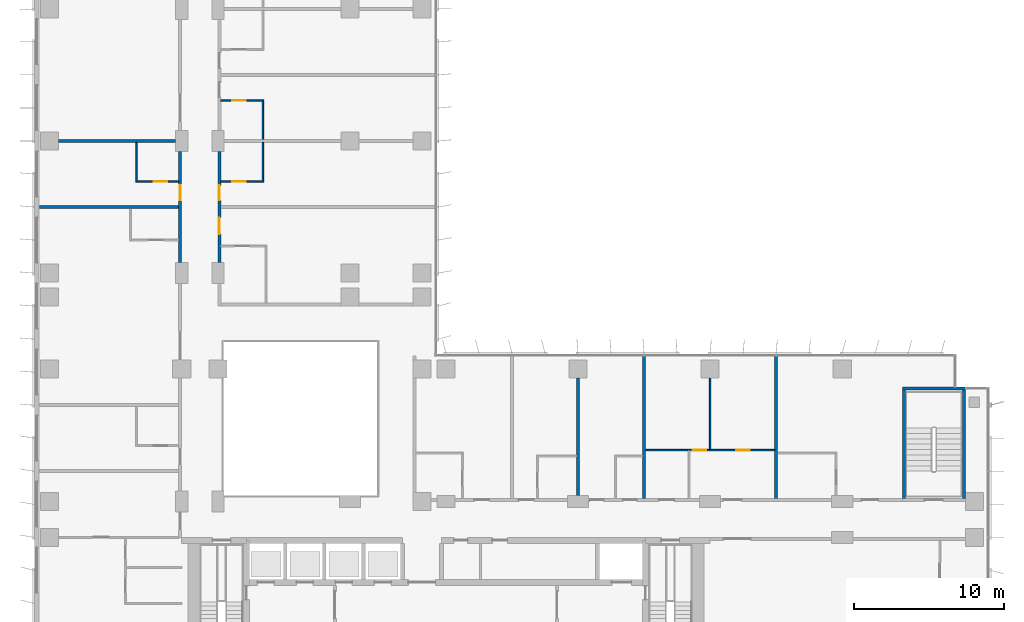
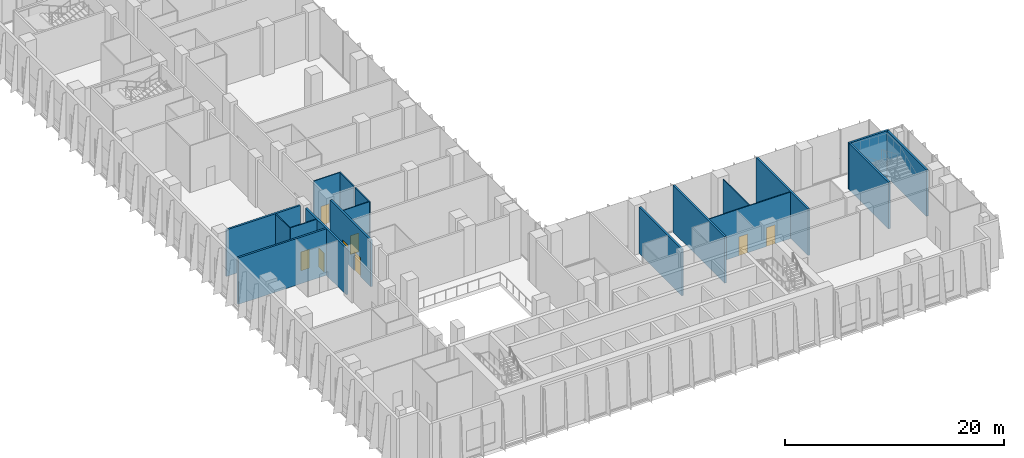
# One storey, part 15 of 26: 18 walls, 8 doors, 8 openings.
"""IFC4 building model written with IfcOpenShell, lengths in metres."""

from ifc_helpers import new_model, si_unit, direction, frame, frame_2d, origin, place, context, subcontext, project, spatial, rectangle, extrude, material, layer, layer_set, type_object, element, fill, save


model = new_model("IFC4")

# Units and contexts
model_context = context("Model", 3, precision=1e-05, world=origin(), true_north=direction((0.0, 1.0)))
body_context = subcontext(model_context, "Body", "Model", "MODEL_VIEW")
ifc_project = project(units=[si_unit("LENGTHUNIT", "METRE"), si_unit("AREAUNIT", "SQUARE_METRE"), si_unit("VOLUMEUNIT", "CUBIC_METRE"), si_unit("PLANEANGLEUNIT", "RADIAN"), si_unit("MASSUNIT", "GRAM", prefix="KILO")], contexts=[model_context])

# Site, building, storey
site_placement = place(None, origin())
site = spatial("IfcSite", under=ifc_project, at=site_placement, CompositionType="ELEMENT")
building_placement = place(site_placement, origin())
building = spatial("IfcBuilding", under=site, at=building_placement, Name="Kemantara Hotel Tower", CompositionType="ELEMENT")
storey_placement = place(building_placement, frame((0.0, 0.0, 101.89990234375)))
storey = spatial("IfcBuildingStorey", under=building, at=storey_placement, Name="L24", CompositionType="ELEMENT", Elevation=101.89990234375)

# Wall, opening, door
ifc_material_1 = material(Name="Gypsum board partition, steel studs and mineral wool, 200 mm", Category="steel")
ifc_layer_1 = layer(ifc_material_1, 0.199951171875)
ifc_layer_set_1 = layer_set([ifc_layer_1], Name="Gypsum board partition, steel studs and mineral wool, 200 mm")
wall_type_1 = type_object("IfcWallType", Name="CORRIDOR WALL 200", PredefinedType="PARTITIONING", material=ifc_layer_set_1)
wall_1_placement = place(storey_placement, frame((9.699951171875, 28.10009765625, 0.0), z_axis=(0.0, 0.0, 1.0), x_axis=(0.0, 1.0, 0.0)))
wall_1 = element("IfcWall", 1, at=wall_1_placement, inside=storey, type_object=wall_type_1, Name="CORRIDOR WALL 200 017", PredefinedType="PARTITIONING", context=body_context, shape_type="SweptSolid", body=[
    extrude(rectangle(XDim=7.39990234375, YDim=0.199951171875, at=frame_2d((3.699951171875, 0.0))), origin(), (0.0, 0.0, 1.0), 5.2001953125),
])
opening_1_placement = place(wall_1_placement, frame((4.14990234375, 0.0, 0.0)))
opening_1 = element("IfcOpeningElement", 2, at=opening_1_placement, cuts=wall_1, Name="Opening F10-023", PredefinedType="OPENING", context=body_context, shape_type="SweptSolid", body=[
    extrude(rectangle(XDim=1.0, YDim=2.10009765625, at=frame_2d((0.5, 1.050048828125))), frame((0.0, 0.10986328125, 0.0), z_axis=(0.0, -1.0, 0.0), x_axis=(1.0, 0.0, 0.0)), (0.0, 0.0, 1.0), 0.219970703125),
])
ifc_material_2 = material(Name="Hardwood veneer door leaf with steel frame", Category="steel")
door_type_1 = type_object("IfcDoorType", Name="GUEST ROOM DOOR 1000 X 2100 FD30S", OperationType="NOTDEFINED", PredefinedType="DOOR", material=ifc_material_2)
door_1_placement = place(opening_1_placement, origin())
door_1 = element("IfcDoor", 3, at=door_1_placement, inside=storey, type_object=door_type_1, Name="GUEST ROOM DOOR F10-023", OperationType="SINGLE_SWING_LEFT", OverallHeight=2.10009765625, OverallWidth=1.0, PredefinedType="DOOR", context=body_context, shape_type="SweptSolid", body=[
    extrude(rectangle(XDim=1.0, YDim=2.10009765625, at=frame_2d((0.5, 1.050048828125))), frame((0.0, 0.02490234375, 0.0), z_axis=(0.0, -1.0, 0.0), x_axis=(1.0, 0.0, 0.0)), (0.0, 0.0, 1.0), 0.050048828125),
])
fill(opening_1, door_1)

# Wall, openings, doors
wall_2_placement = place(storey_placement, frame((12.300048828125, 35.5, 0.0), z_axis=(0.0, 0.0, 1.0), x_axis=(0.0, -1.0, 0.0)))
wall_2 = element("IfcWall", 4, at=wall_2_placement, inside=storey, type_object=wall_type_1, Name="CORRIDOR WALL 200 032", PredefinedType="PARTITIONING", context=body_context, shape_type="SweptSolid", body=[
    extrude(rectangle(XDim=7.39990234375, YDim=0.199951171875, at=frame_2d((3.699951171875, 0.0))), origin(), (0.0, 0.0, 1.0), 5.2001953125),
])
opening_2_placement = place(wall_2_placement, frame((4.39990234375, 0.0, 0.0)))
opening_2 = element("IfcOpeningElement", 5, at=opening_2_placement, cuts=wall_2, Name="Opening F10-033", PredefinedType="OPENING", context=body_context, shape_type="SweptSolid", body=[
    extrude(rectangle(XDim=1.10009765625, YDim=2.10009765625, at=frame_2d((0.550048828125, 1.050048828125))), frame((0.0, 0.10986328125, 0.0), z_axis=(0.0, -1.0, 0.0), x_axis=(1.0, 0.0, 0.0)), (0.0, 0.0, 1.0), 0.219970703125),
])
opening_3_placement = place(wall_2_placement, frame((2.25, 0.0, 0.0)))
opening_3 = element("IfcOpeningElement", 6, at=opening_3_placement, cuts=wall_2, Name="Opening F10-035", PredefinedType="OPENING", context=body_context, shape_type="SweptSolid", body=[
    extrude(rectangle(XDim=1.0, YDim=2.10009765625, at=frame_2d((0.5, 1.050048828125))), frame((0.0, 0.10986328125, 0.0), z_axis=(0.0, -1.0, 0.0), x_axis=(1.0, 0.0, 0.0)), (0.0, 0.0, 1.0), 0.219970703125),
])
door_2_placement = place(opening_3_placement, origin())
door_2 = element("IfcDoor", 7, at=door_2_placement, inside=storey, type_object=door_type_1, Name="GUEST ROOM DOOR F10-035", OperationType="SINGLE_SWING_RIGHT", OverallHeight=2.10009765625, OverallWidth=1.0, PredefinedType="DOOR", context=body_context, shape_type="SweptSolid", body=[
    extrude(rectangle(XDim=1.0, YDim=2.10009765625, at=frame_2d((0.5, 1.050048828125))), frame((0.0, 0.02490234375, 0.0), z_axis=(0.0, -1.0, 0.0), x_axis=(1.0, 0.0, 0.0)), (0.0, 0.0, 1.0), 0.050048828125),
])
fill(opening_3, door_2)
door_type_2 = type_object("IfcDoorType", Name="SUITE ENTRANCE DOOR 1100 X 2100 FD30S", OperationType="NOTDEFINED", PredefinedType="DOOR", material=ifc_material_2)
door_3_placement = place(opening_2_placement, origin())
door_3 = element("IfcDoor", 8, at=door_3_placement, inside=storey, type_object=door_type_2, Name="SUITE ENTRANCE DOOR F10-033", OperationType="SINGLE_SWING_LEFT", OverallHeight=2.10009765625, OverallWidth=1.10009765625, PredefinedType="DOOR", context=body_context, shape_type="SweptSolid", body=[
    extrude(rectangle(XDim=1.10009765625, YDim=2.10009765625, at=frame_2d((0.550048828125, 1.050048828125))), frame((0.0, 0.02490234375, 0.0), z_axis=(0.0, -1.0, 0.0), x_axis=(1.0, 0.0, 0.0)), (0.0, 0.0, 1.0), 0.050048828125),
])
fill(opening_2, door_3)

# Walls
ifc_material_3 = material(Name="Concrete fc 40 MPa", Category="concrete")
ifc_layer_2 = layer(ifc_material_3, 0.199951171875)
ifc_layer_set_2 = layer_set([ifc_layer_2], Name="Concrete fc 40 MPa")
wall_type_2 = type_object("IfcWallType", Name="Concrete stair wall 200 mm", PredefinedType="SHEAR", material=ifc_layer_set_2)
wall_3_placement = place(storey_placement, frame((57.800048828125, 19.699951171875, 0.0), z_axis=(0.0, 0.0, 1.0), x_axis=(1.0, 0.0, 0.0)))
element("IfcWall", 9, at=wall_3_placement, inside=storey, type_object=wall_type_2, Name="Stair ST3 enclosure wall N", PredefinedType="SHEAR", context=body_context, shape_type="SweptSolid", body=[
    extrude(rectangle(XDim=4.199951171875, YDim=0.199951171875, at=frame_2d((2.10009765625, 0.0))), origin(), (0.0, 0.0, 1.0), 5.2001953125),
])
for number, where, z_axis, x_axis, name in (
    (10, (57.89990234375, 12.39990234375, 0.0), (0.0, 0.0, 1.0), (0.0, 1.0, 0.0), "Stair ST3 enclosure wall W"),
    (11, (61.89990234375, 12.39990234375, 0.0), (0.0, 0.0, 1.0), (0.0, 1.0, 0.0), "Stair ST3 enclosure wall E"),
):
    element("IfcWall", number, at=place(storey_placement, frame(where, z_axis=z_axis, x_axis=x_axis)), inside=storey, type_object=wall_type_2, Name=name, PredefinedType="SHEAR", context=body_context, shape_type="SweptSolid", body=[
        extrude(rectangle(XDim=7.2001953125, YDim=0.199951171875, at=frame_2d((3.60009765625, 0.0))), origin(), (0.0, 0.0, 1.0), 5.2001953125),
    ])
ifc_layer_3 = layer(ifc_material_1, 0.199951171875)
ifc_layer_set_3 = layer_set([ifc_layer_3], Name="Gypsum board partition, steel studs and mineral wool, 200 mm")
wall_type_3 = type_object("IfcWallType", Name="GUEST ROOM PARTY WALL 200", PredefinedType="PARTITIONING", material=ifc_layer_set_3)
wall_4_placement = place(storey_placement, frame((36.199951171875, 12.60009765625, 0.0), z_axis=(0.0, 0.0, 1.0), x_axis=(0.0, 1.0, 0.0)))
element("IfcWall", 12, at=wall_4_placement, inside=storey, type_object=wall_type_3, Name="GUEST ROOM PARTY WALL 200 011", PredefinedType="PARTITIONING", context=body_context, shape_type="SweptSolid", body=[
    extrude(rectangle(XDim=7.7998046875, YDim=0.199951171875, at=frame_2d((3.89990234375, 0.0))), origin(), (0.0, 0.0, 1.0), 5.2001953125),
])
for number, where, z_axis, x_axis, name in (
    (13, (40.60009765625, 12.39990234375, 0.0), (0.0, 0.0, 1.0), (0.0, 1.0, 0.0), "GUEST ROOM PARTY WALL 200 012"),
    (14, (49.39990234375, 12.39990234375, 0.0), (0.0, 0.0, 1.0), (0.0, 1.0, 0.0), "GUEST ROOM PARTY WALL 200 013"),
):
    element("IfcWall", number, at=place(storey_placement, frame(where, z_axis=z_axis, x_axis=x_axis)), inside=storey, type_object=wall_type_3, Name=name, PredefinedType="PARTITIONING", context=body_context, shape_type="SweptSolid", body=[
        extrude(rectangle(XDim=9.47021484375, YDim=0.199951171875, at=frame_2d((4.735107421875, 0.0))), origin(), (0.0, 0.0, 1.0), 5.2001953125),
    ])
wall_5_placement = place(storey_placement, frame((0.31005859375, 31.800048828125, 0.0), z_axis=(0.0, 0.0, 1.0), x_axis=(1.0, 0.0, 0.0)))
element("IfcWall", 15, at=wall_5_placement, inside=storey, type_object=wall_type_3, Name="GUEST ROOM PARTY WALL 200 025", PredefinedType="PARTITIONING", context=body_context, shape_type="SweptSolid", body=[
    extrude(rectangle(XDim=9.2900390625, YDim=0.199951171875, at=frame_2d((4.64501953125, 0.0))), origin(), (0.0, 0.0, 1.0), 5.2001953125),
])
wall_6_placement = place(storey_placement, frame((1.60009765625, 36.199951171875, 0.0), z_axis=(0.0, 0.0, 1.0), x_axis=(1.0, 0.0, 0.0)))
element("IfcWall", 16, at=wall_6_placement, inside=storey, type_object=wall_type_3, Name="GUEST ROOM PARTY WALL 200 027", PredefinedType="PARTITIONING", context=body_context, shape_type="SweptSolid", body=[
    extrude(rectangle(XDim=7.7998046875, YDim=0.199951171875, at=frame_2d((3.89990234375, 0.0))), origin(), (0.0, 0.0, 1.0), 5.2001953125),
])

# Wall, openings, doors
ifc_material_4 = material(Name="Gypsum board partition on steel studs, 100 mm", Category="steel")
ifc_layer_4 = layer(ifc_material_4, 0.10009765625)
ifc_layer_set_4 = layer_set([ifc_layer_4], Name="Gypsum board partition on steel studs, 100 mm")
wall_type_4 = type_object("IfcWallType", Name="ROOM PARTITION 100", PredefinedType="PARTITIONING", material=ifc_layer_set_4)
wall_7_placement = place(storey_placement, frame((40.699951171875, 15.60009765625, 0.0), z_axis=(0.0, 0.0, 1.0), x_axis=(1.0, 0.0, 0.0)))
wall_7 = element("IfcWall", 17, at=wall_7_placement, inside=storey, type_object=wall_type_4, Name="ROOM PARTITION 100 059", PredefinedType="PARTITIONING", context=body_context, shape_type="SweptSolid", body=[
    extrude(rectangle(XDim=8.60009765625, YDim=0.10009765625, at=frame_2d((4.300048828125, 0.0))), origin(), (0.0, 0.0, 1.0), 5.2001953125),
])
opening_4_placement = place(wall_7_placement, frame((3.14990234375, 0.0, 0.0)))
opening_4 = element("IfcOpeningElement", 18, at=opening_4_placement, cuts=wall_7, Name="Opening F10-011", PredefinedType="OPENING", context=body_context, shape_type="SweptSolid", body=[
    extrude(rectangle(XDim=0.89990234375, YDim=2.10009765625, at=frame_2d((0.449951171875, 1.050048828125))), frame((0.0, 0.06005859375, 0.0), z_axis=(0.0, -1.0, 0.0), x_axis=(1.0, 0.0, 0.0)), (0.0, 0.0, 1.0), 0.1201171875),
])
opening_5_placement = place(wall_7_placement, frame((6.050048828125, 0.0, 0.0)))
opening_5 = element("IfcOpeningElement", 19, at=opening_5_placement, cuts=wall_7, Name="Opening F10-012", PredefinedType="OPENING", context=body_context, shape_type="SweptSolid", body=[
    extrude(rectangle(XDim=0.89990234375, YDim=2.10009765625, at=frame_2d((0.449951171875, 1.050048828125))), frame((0.0, 0.06005859375, 0.0), z_axis=(0.0, -1.0, 0.0), x_axis=(1.0, 0.0, 0.0)), (0.0, 0.0, 1.0), 0.1201171875),
])
door_type_3 = type_object("IfcDoorType", Name="INTERNAL DOOR 900 X 2100", OperationType="NOTDEFINED", PredefinedType="DOOR", material=ifc_material_2)
door_4_placement = place(opening_4_placement, origin())
door_4 = element("IfcDoor", 20, at=door_4_placement, inside=storey, type_object=door_type_3, Name="INTERNAL DOOR F10-011", OperationType="SINGLE_SWING_LEFT", OverallHeight=2.10009765625, OverallWidth=0.89990234375, PredefinedType="DOOR", context=body_context, shape_type="SweptSolid", body=[
    extrude(rectangle(XDim=0.89990234375, YDim=2.10009765625, at=frame_2d((0.449951171875, 1.050048828125))), frame((0.0, 0.02490234375, 0.0), z_axis=(0.0, -1.0, 0.0), x_axis=(1.0, 0.0, 0.0)), (0.0, 0.0, 1.0), 0.050048828125),
])
fill(opening_4, door_4)
door_5_placement = place(opening_5_placement, origin())
door_5 = element("IfcDoor", 21, at=door_5_placement, inside=storey, type_object=door_type_3, Name="INTERNAL DOOR F10-012", OperationType="SINGLE_SWING_LEFT", OverallHeight=2.10009765625, OverallWidth=0.89990234375, PredefinedType="DOOR", context=body_context, shape_type="SweptSolid", body=[
    extrude(rectangle(XDim=0.89990234375, YDim=2.10009765625, at=frame_2d((0.449951171875, 1.050048828125))), frame((0.0, 0.02490234375, 0.0), z_axis=(0.0, -1.0, 0.0), x_axis=(1.0, 0.0, 0.0)), (0.0, 0.0, 1.0), 0.050048828125),
])
fill(opening_5, door_5)

# Walls
wall_8_placement = place(storey_placement, frame((45.0, 15.64990234375, 0.0), z_axis=(0.0, 0.0, 1.0), x_axis=(0.0, 1.0, 0.0)))
element("IfcWall", 22, at=wall_8_placement, inside=storey, type_object=wall_type_4, Name="ROOM PARTITION 100 061", PredefinedType="PARTITIONING", context=body_context, shape_type="SweptSolid", body=[
    extrude(rectangle(XDim=4.75, YDim=0.10009765625, at=frame_2d((2.375, 0.0))), origin(), (0.0, 0.0, 1.0), 5.2001953125),
])
wall_9_placement = place(storey_placement, frame((6.800048828125, 33.449951171875, 0.0), z_axis=(0.0, 0.0, 1.0), x_axis=(0.0, 1.0, 0.0)))
element("IfcWall", 23, at=wall_9_placement, inside=storey, type_object=wall_type_4, Name="ROOM PARTITION 100 068", PredefinedType="PARTITIONING", context=body_context, shape_type="SweptSolid", body=[
    extrude(rectangle(XDim=2.650146484375, YDim=0.10009765625, at=frame_2d((1.3251953125, 0.0))), origin(), (0.0, 0.0, 1.0), 5.2001953125),
])

# Wall, opening, door
wall_10_placement = place(storey_placement, frame((6.85009765625, 33.5, 0.0), z_axis=(0.0, 0.0, 1.0), x_axis=(1.0, 0.0, 0.0)))
wall_10 = element("IfcWall", 24, at=wall_10_placement, inside=storey, type_object=wall_type_4, Name="ROOM PARTITION 100 073", PredefinedType="PARTITIONING", context=body_context, shape_type="SweptSolid", body=[
    extrude(rectangle(XDim=2.75, YDim=0.10009765625, at=frame_2d((1.375, 0.0))), origin(), (0.0, 0.0, 1.0), 5.2001953125),
])
opening_6_placement = place(wall_10_placement, frame((1.10009765625, 0.0, 0.0)))
opening_6 = element("IfcOpeningElement", 25, at=opening_6_placement, cuts=wall_10, Name="Opening F10-024", PredefinedType="OPENING", context=body_context, shape_type="SweptSolid", body=[
    extrude(rectangle(XDim=0.89990234375, YDim=2.10009765625, at=frame_2d((0.449951171875, 1.050048828125))), frame((0.0, 0.06005859375, 0.0), z_axis=(0.0, -1.0, 0.0), x_axis=(1.0, 0.0, 0.0)), (0.0, 0.0, 1.0), 0.1201171875),
])
door_type_4 = type_object("IfcDoorType", Name="BATHROOM DOOR 900 X 2100", OperationType="NOTDEFINED", PredefinedType="DOOR", material=ifc_material_2)
door_6_placement = place(opening_6_placement, origin())
door_6 = element("IfcDoor", 26, at=door_6_placement, inside=storey, type_object=door_type_4, Name="BATHROOM DOOR F10-024", OperationType="SINGLE_SWING_RIGHT", OverallHeight=2.10009765625, OverallWidth=0.89990234375, PredefinedType="DOOR", context=body_context, shape_type="SweptSolid", body=[
    extrude(rectangle(XDim=0.89990234375, YDim=2.10009765625, at=frame_2d((0.449951171875, 1.050048828125))), frame((0.0, 0.02490234375, 0.0), z_axis=(0.0, -1.0, 0.0), x_axis=(1.0, 0.0, 0.0)), (0.0, 0.0, 1.0), 0.050048828125),
])
fill(opening_6, door_6)

wall_11_placement = place(storey_placement, frame((12.39990234375, 33.5, 0.0), z_axis=(0.0, 0.0, 1.0), x_axis=(1.0, 0.0, 0.0)))
wall_11 = element("IfcWall", 27, at=wall_11_placement, inside=storey, type_object=wall_type_4, Name="ROOM PARTITION 100 074", PredefinedType="PARTITIONING", context=body_context, shape_type="SweptSolid", body=[
    extrude(rectangle(XDim=2.75, YDim=0.10009765625, at=frame_2d((1.375, 0.0))), origin(), (0.0, 0.0, 1.0), 5.2001953125),
])
opening_7_placement = place(wall_11_placement, frame((0.75, 0.0, 0.0)))
opening_7 = element("IfcOpeningElement", 28, at=opening_7_placement, cuts=wall_11, Name="Opening F10-036", PredefinedType="OPENING", context=body_context, shape_type="SweptSolid", body=[
    extrude(rectangle(XDim=0.89990234375, YDim=2.10009765625, at=frame_2d((0.449951171875, 1.050048828125))), frame((0.0, 0.06005859375, 0.0), z_axis=(0.0, -1.0, 0.0), x_axis=(1.0, 0.0, 0.0)), (0.0, 0.0, 1.0), 0.1201171875),
])
door_7_placement = place(opening_7_placement, origin())
door_7 = element("IfcDoor", 29, at=door_7_placement, inside=storey, type_object=door_type_4, Name="BATHROOM DOOR F10-036", OperationType="SINGLE_SWING_LEFT", OverallHeight=2.10009765625, OverallWidth=0.89990234375, PredefinedType="DOOR", context=body_context, shape_type="SweptSolid", body=[
    extrude(rectangle(XDim=0.89990234375, YDim=2.10009765625, at=frame_2d((0.449951171875, 1.050048828125))), frame((0.0, 0.02490234375, 0.0), z_axis=(0.0, -1.0, 0.0), x_axis=(1.0, 0.0, 0.0)), (0.0, 0.0, 1.0), 0.050048828125),
])
fill(opening_7, door_7)

# Walls
wall_12_placement = place(storey_placement, frame((15.199951171875, 33.449951171875, 0.0), z_axis=(0.0, 0.0, 1.0), x_axis=(0.0, 1.0, 0.0)))
element("IfcWall", 30, at=wall_12_placement, inside=storey, type_object=wall_type_4, Name="ROOM PARTITION 100 084", PredefinedType="PARTITIONING", context=body_context, shape_type="SweptSolid", body=[
    extrude(rectangle(XDim=2.650146484375, YDim=0.10009765625, at=frame_2d((1.3251953125, 0.0))), origin(), (0.0, 0.0, 1.0), 5.2001953125),
])
wall_13_placement = place(storey_placement, frame((15.199951171875, 36.300048828125, 0.0), z_axis=(0.0, 0.0, 1.0), x_axis=(0.0, 1.0, 0.0)))
element("IfcWall", 31, at=wall_13_placement, inside=storey, type_object=wall_type_4, Name="ROOM PARTITION 100 085", PredefinedType="PARTITIONING", context=body_context, shape_type="SweptSolid", body=[
    extrude(rectangle(XDim=2.64990234375, YDim=0.10009765625, at=frame_2d((1.324951171875, 0.0))), origin(), (0.0, 0.0, 1.0), 5.2001953125),
])

# Wall, opening, door
wall_14_placement = place(storey_placement, frame((15.14990234375, 38.89990234375, 0.0), z_axis=(0.0, 0.0, 1.0), x_axis=(-1.0, 0.0, 0.0)))
wall_14 = element("IfcWall", 32, at=wall_14_placement, inside=storey, type_object=wall_type_4, Name="ROOM PARTITION 100 090", PredefinedType="PARTITIONING", context=body_context, shape_type="SweptSolid", body=[
    extrude(rectangle(XDim=2.75, YDim=0.10009765625, at=frame_2d((1.375, 0.0))), origin(), (0.0, 0.0, 1.0), 5.2001953125),
])
opening_8_placement = place(wall_14_placement, frame((1.10009765625, 0.0, 0.0)))
opening_8 = element("IfcOpeningElement", 33, at=opening_8_placement, cuts=wall_14, Name="Opening F10-038", PredefinedType="OPENING", context=body_context, shape_type="SweptSolid", body=[
    extrude(rectangle(XDim=0.89990234375, YDim=2.10009765625, at=frame_2d((0.449951171875, 1.050048828125))), frame((0.0, 0.06005859375, 0.0), z_axis=(0.0, -1.0, 0.0), x_axis=(1.0, 0.0, 0.0)), (0.0, 0.0, 1.0), 0.1201171875),
])
door_8_placement = place(opening_8_placement, origin())
door_8 = element("IfcDoor", 34, at=door_8_placement, inside=storey, type_object=door_type_4, Name="BATHROOM DOOR F10-038", OperationType="SINGLE_SWING_RIGHT", OverallHeight=2.10009765625, OverallWidth=0.89990234375, PredefinedType="DOOR", context=body_context, shape_type="SweptSolid", body=[
    extrude(rectangle(XDim=0.89990234375, YDim=2.10009765625, at=frame_2d((0.449951171875, 1.050048828125))), frame((0.0, 0.02490234375, 0.0), z_axis=(0.0, -1.0, 0.0), x_axis=(1.0, 0.0, 0.0)), (0.0, 0.0, 1.0), 0.050048828125),
])
fill(opening_8, door_8)

save(model, "model.ifc")
